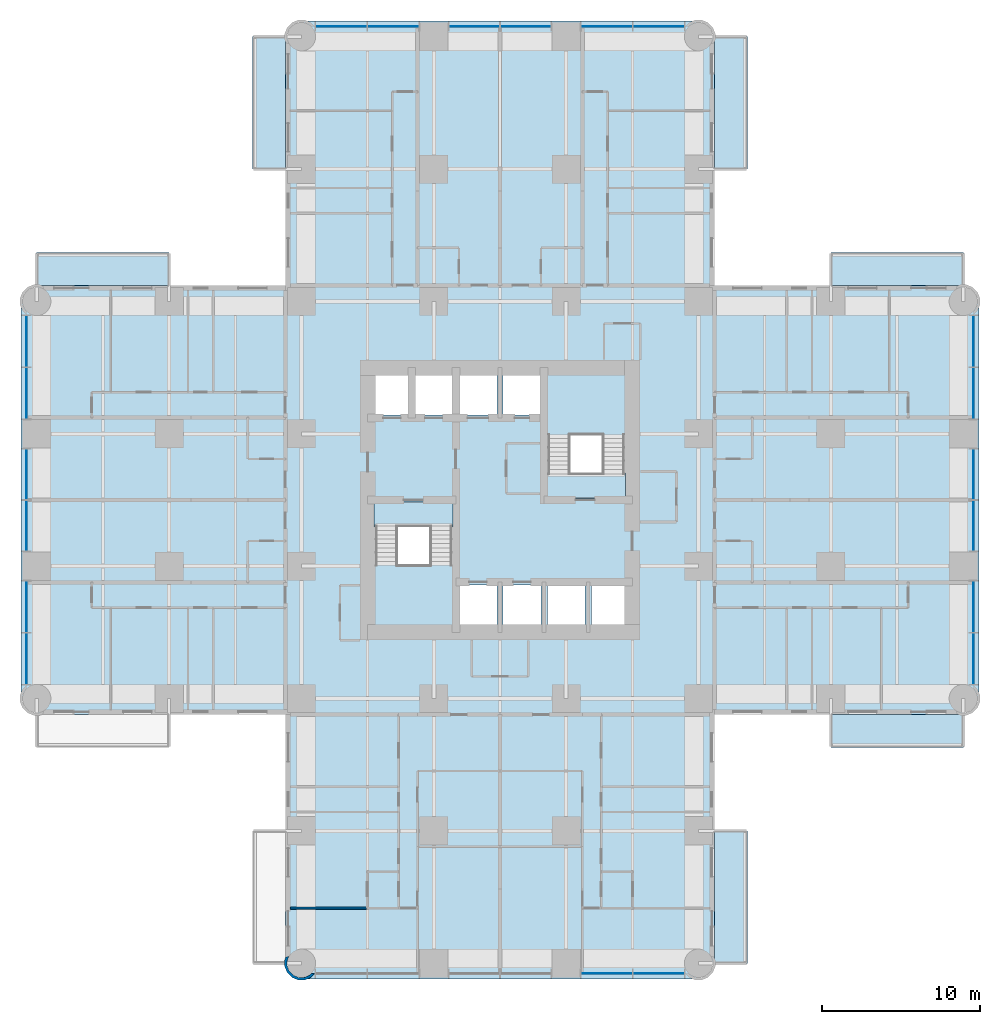
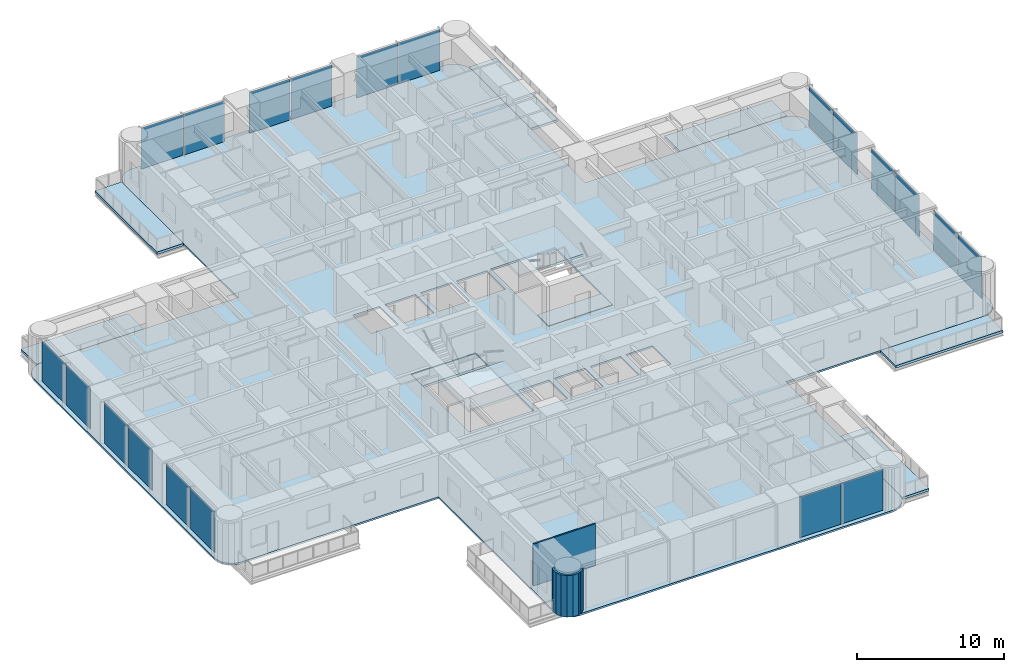
# One storey, part 6 of 17: 20 plates, 11 slabs, 2 walls, 6 elements without a shape of their own.
"""IFC4 building model written with IfcOpenShell, lengths in metres."""

from ifc_helpers import new_model, si_unit, direction, frame, frame_2d, origin, origin_2d, place, context, subcontext, project, spatial, polyline, rectangle, outline, extrude, material, layer, layer_set, type_object, element, aggregate, save


model = new_model("IFC4")

# Units and contexts
model_context = context("Model", 3, precision=1e-05, world=origin(), true_north=direction((0.0, 1.0)))
body_context = subcontext(model_context, "Body", "Model", "MODEL_VIEW")
ifc_project = project(units=[si_unit("LENGTHUNIT", "METRE"), si_unit("AREAUNIT", "SQUARE_METRE"), si_unit("VOLUMEUNIT", "CUBIC_METRE"), si_unit("PLANEANGLEUNIT", "RADIAN"), si_unit("MASSUNIT", "GRAM", prefix="KILO")], contexts=[model_context])

# Site, building, storey
site_placement = place(None, origin())
site = spatial("IfcSite", under=ifc_project, at=site_placement, CompositionType="ELEMENT")
building_placement = place(site_placement, origin())
building = spatial("IfcBuilding", under=site, at=building_placement, Name="Torre Alcanfor", CompositionType="ELEMENT")
storey_placement = place(building_placement, frame((0.0, 0.0, 84.89990234375)))
storey = spatial("IfcBuildingStorey", under=building, at=storey_placement, Name="L21", CompositionType="ELEMENT", Elevation=84.89990234375)

# Slabs
ifc_material_1 = material(Name="Concrete f'c 35 MPa", Category="concrete")
ifc_layer_1 = layer(ifc_material_1, 0.199951171875)
ifc_layer_set_1 = layer_set([ifc_layer_1], Name="Balcony slab 200")
slab_type_1 = type_object("IfcSlabType", Name="Balcony slab 200", PredefinedType="FLOOR", material=ifc_layer_set_1)
slab_1_placement = place(storey_placement, frame((0.0, 0.0, -0.199951171875)))
element("IfcSlab", 1, at=slab_1_placement, inside=storey, type_object=slab_type_1, Name="Balcony L21-N1", PredefinedType="FLOOR", context=body_context, shape_type="SweptSolid", body=[
    extrude(outline(polyline([(15.800048828125, 50.39990234375), (15.800048828125, 58.800048828125), (13.699951171875, 58.800048828125), (13.699951171875, 50.39990234375), (15.800048828125, 50.39990234375)])), origin(), (0.0, 0.0, 1.0), 0.199951171875),
])
slab_2_placement = place(storey_placement, frame((0.0, 0.0, -0.199951171875)))
element("IfcSlab", 2, at=slab_2_placement, inside=storey, type_object=slab_type_1, Name="Balcony L21-N2", PredefinedType="FLOOR", context=body_context, shape_type="SweptSolid", body=[
    extrude(outline(polyline([(45.10009765625, 50.39990234375), (45.10009765625, 58.800048828125), (43.0, 58.800048828125), (43.0, 50.39990234375), (45.10009765625, 50.39990234375)])), origin(), (0.0, 0.0, 1.0), 0.199951171875),
])
slab_3_placement = place(storey_placement, frame((0.0, 0.0, -0.199951171875)))
element("IfcSlab", 3, at=slab_3_placement, inside=storey, type_object=slab_type_1, Name="Balcony L21-E1", PredefinedType="FLOOR", context=body_context, shape_type="SweptSolid", body=[
    extrude(outline(polyline([(50.39990234375, 43.0), (58.800048828125, 43.0), (58.800048828125, 45.10009765625), (50.39990234375, 45.10009765625), (50.39990234375, 43.0)])), origin(), (0.0, 0.0, 1.0), 0.199951171875),
])
slab_4_placement = place(storey_placement, frame((0.0, 0.0, -0.199951171875)))
element("IfcSlab", 4, at=slab_4_placement, inside=storey, type_object=slab_type_1, Name="Balcony L21-E2", PredefinedType="FLOOR", context=body_context, shape_type="SweptSolid", body=[
    extrude(outline(polyline([(50.39990234375, 13.699951171875), (58.800048828125, 13.699951171875), (58.800048828125, 15.800048828125), (50.39990234375, 15.800048828125), (50.39990234375, 13.699951171875)])), origin(), (0.0, 0.0, 1.0), 0.199951171875),
])
slab_5_placement = place(storey_placement, frame((0.0, 0.0, -0.199951171875)))
element("IfcSlab", 5, at=slab_5_placement, inside=storey, type_object=slab_type_1, Name="Balcony L21-S1", PredefinedType="FLOOR", context=body_context, shape_type="SweptSolid", body=[
    extrude(outline(polyline([(43.0, 8.39990234375), (43.0, 0.0), (45.10009765625, 0.0), (45.10009765625, 8.39990234375), (43.0, 8.39990234375)])), origin(), (0.0, 0.0, 1.0), 0.199951171875),
])
slab_6_placement = place(storey_placement, frame((0.0, 0.0, -0.199951171875)))
element("IfcSlab", 6, at=slab_6_placement, inside=storey, type_object=slab_type_1, Name="Balcony L21-W2", PredefinedType="FLOOR", context=body_context, shape_type="SweptSolid", body=[
    extrude(outline(polyline([(8.39990234375, 45.10009765625), (0.0, 45.10009765625), (0.0, 43.0), (8.39990234375, 43.0), (8.39990234375, 45.10009765625)])), origin(), (0.0, 0.0, 1.0), 0.199951171875),
])

# Curtain wall, plates
ifc_material_2 = material(Name="Aluminium and glass", Category="aluminium")
curtain_wall_type = type_object("IfcCurtainWallType", Name="CW-A unitised apartment glazing with vertical FIN", PredefinedType="NOTDEFINED", material=ifc_material_2)
curtain_wall_1_placement = place(storey_placement, origin())
curtain_wall_1 = element("IfcCurtainWall", 7, at=curtain_wall_1_placement, inside=storey, type_object=curtain_wall_type, Name="Curtain wall CW-A L21 2", PredefinedType="NOTDEFINED")
ifc_material_3 = material(Name="Glass", Category="glass")
ifc_layer_2 = layer(ifc_material_3, 0.028076171875)
ifc_layer_set_2 = layer_set([ifc_layer_2], Name="CW-A clear double glazed unit")
plate_type = type_object("IfcPlateType", Name="CW-A clear double glazed unit", PredefinedType="CURTAIN_PANEL", material=ifc_layer_set_2)
plate_1_placement = place(storey_placement, frame((-0.64990234375, 39.484130859375, 0.0), z_axis=(0.0, 0.0, 1.0), x_axis=(0.0, -1.0, 0.0)))
plate_1 = element("IfcPlate", 8, at=plate_1_placement, type_object=plate_type, Name="CW-A panel 1.1.1", PredefinedType="CURTAIN_PANEL", context=body_context, shape_type="SweptSolid", body=[
    extrude(rectangle(XDim=3.232666015625, YDim=0.028076171875, at=origin_2d()), origin(), (0.0, 0.0, 1.0), 3.385009765625),
])
plate_2_placement = place(storey_placement, frame((-0.64990234375, 36.186279296875, 0.0), z_axis=(0.0, 0.0, 1.0), x_axis=(0.0, -1.0, 0.0)))
plate_2 = element("IfcPlate", 9, at=plate_2_placement, type_object=plate_type, Name="CW-A panel 1.2.1", PredefinedType="CURTAIN_PANEL", context=body_context, shape_type="SweptSolid", body=[
    extrude(rectangle(XDim=3.232666015625, YDim=0.028076171875, at=origin_2d()), origin(), (0.0, 0.0, 1.0), 3.385009765625),
])
plate_3_placement = place(storey_placement, frame((-0.64990234375, 31.03125, 0.0), z_axis=(0.0, 0.0, 1.0), x_axis=(0.0, -1.0, 0.0)))
plate_3 = element("IfcPlate", 10, at=plate_3_placement, type_object=plate_type, Name="CW-A panel 2.1.1", PredefinedType="CURTAIN_PANEL", context=body_context, shape_type="SweptSolid", body=[
    extrude(rectangle(XDim=3.197509765625, YDim=0.028076171875, at=origin_2d()), origin(), (0.0, 0.0, 1.0), 3.385009765625),
])
plate_4_placement = place(storey_placement, frame((-0.64990234375, 27.768798828125, 0.0), z_axis=(0.0, 0.0, 1.0), x_axis=(0.0, -1.0, 0.0)))
plate_4 = element("IfcPlate", 11, at=plate_4_placement, type_object=plate_type, Name="CW-A panel 2.2.1", PredefinedType="CURTAIN_PANEL", context=body_context, shape_type="SweptSolid", body=[
    extrude(rectangle(XDim=3.197509765625, YDim=0.028076171875, at=origin_2d()), origin(), (0.0, 0.0, 1.0), 3.385009765625),
])
plate_5_placement = place(storey_placement, frame((-0.64990234375, 22.613525390625, 0.0), z_axis=(0.0, 0.0, 1.0), x_axis=(0.0, -1.0, 0.0)))
plate_5 = element("IfcPlate", 12, at=plate_5_placement, type_object=plate_type, Name="CW-A panel 3.1.1", PredefinedType="CURTAIN_PANEL", context=body_context, shape_type="SweptSolid", body=[
    extrude(rectangle(XDim=3.232666015625, YDim=0.028076171875, at=origin_2d()), origin(), (0.0, 0.0, 1.0), 3.385009765625),
])
plate_6_placement = place(storey_placement, frame((-0.64990234375, 19.31591796875, 0.0), z_axis=(0.0, 0.0, 1.0), x_axis=(0.0, -1.0, 0.0)))
plate_6 = element("IfcPlate", 13, at=plate_6_placement, type_object=plate_type, Name="CW-A panel 3.2.1", PredefinedType="CURTAIN_PANEL", context=body_context, shape_type="SweptSolid", body=[
    extrude(rectangle(XDim=3.232666015625, YDim=0.028076171875, at=origin_2d()), origin(), (0.0, 0.0, 1.0), 3.385009765625),
])
aggregate(curtain_wall_1, [plate_1, plate_2, plate_3, plate_4, plate_5, plate_6])

curtain_wall_2_placement = place(storey_placement, origin())
curtain_wall_2 = element("IfcCurtainWall", 14, at=curtain_wall_2_placement, inside=storey, type_object=curtain_wall_type, Name="Curtain wall CW-A L21 5", PredefinedType="NOTDEFINED")
plate_7_placement = place(storey_placement, frame((36.186279296875, -0.64990234375, 0.0), z_axis=(0.0, 0.0, 1.0), x_axis=(1.0, 0.0, 0.0)))
plate_7 = element("IfcPlate", 15, at=plate_7_placement, type_object=plate_type, Name="CW-A panel 3.1.1", PredefinedType="CURTAIN_PANEL", context=body_context, shape_type="SweptSolid", body=[
    extrude(rectangle(XDim=3.232666015625, YDim=0.028076171875, at=origin_2d()), origin(), (0.0, 0.0, 1.0), 3.385009765625),
])
plate_8_placement = place(storey_placement, frame((39.484130859375, -0.64990234375, 0.0), z_axis=(0.0, 0.0, 1.0), x_axis=(1.0, 0.0, 0.0)))
plate_8 = element("IfcPlate", 16, at=plate_8_placement, type_object=plate_type, Name="CW-A panel 3.2.1", PredefinedType="CURTAIN_PANEL", context=body_context, shape_type="SweptSolid", body=[
    extrude(rectangle(XDim=3.232666015625, YDim=0.028076171875, at=origin_2d()), origin(), (0.0, 0.0, 1.0), 3.385009765625),
])
aggregate(curtain_wall_2, [plate_7, plate_8])

curtain_wall_3_placement = place(storey_placement, origin())
curtain_wall_3 = element("IfcCurtainWall", 17, at=curtain_wall_3_placement, inside=storey, type_object=curtain_wall_type, Name="Curtain wall CW-A L21 8", PredefinedType="NOTDEFINED")
plate_9_placement = place(storey_placement, frame((59.449951171875, 19.31591796875, 0.0), z_axis=(0.0, 0.0, 1.0), x_axis=(0.0, 1.0, 0.0)))
plate_9 = element("IfcPlate", 18, at=plate_9_placement, type_object=plate_type, Name="CW-A panel 1.1.1", PredefinedType="CURTAIN_PANEL", context=body_context, shape_type="SweptSolid", body=[
    extrude(rectangle(XDim=3.232666015625, YDim=0.028076171875, at=origin_2d()), origin(), (0.0, 0.0, 1.0), 3.385009765625),
])
plate_10_placement = place(storey_placement, frame((59.449951171875, 22.613525390625, 0.0), z_axis=(0.0, 0.0, 1.0), x_axis=(0.0, 1.0, 0.0)))
plate_10 = element("IfcPlate", 19, at=plate_10_placement, type_object=plate_type, Name="CW-A panel 1.2.1", PredefinedType="CURTAIN_PANEL", context=body_context, shape_type="SweptSolid", body=[
    extrude(rectangle(XDim=3.232666015625, YDim=0.028076171875, at=origin_2d()), origin(), (0.0, 0.0, 1.0), 3.385009765625),
])
plate_11_placement = place(storey_placement, frame((59.449951171875, 27.768798828125, 0.0), z_axis=(0.0, 0.0, 1.0), x_axis=(0.0, 1.0, 0.0)))
plate_11 = element("IfcPlate", 20, at=plate_11_placement, type_object=plate_type, Name="CW-A panel 2.1.1", PredefinedType="CURTAIN_PANEL", context=body_context, shape_type="SweptSolid", body=[
    extrude(rectangle(XDim=3.197509765625, YDim=0.028076171875, at=origin_2d()), origin(), (0.0, 0.0, 1.0), 3.385009765625),
])
plate_12_placement = place(storey_placement, frame((59.449951171875, 31.03125, 0.0), z_axis=(0.0, 0.0, 1.0), x_axis=(0.0, 1.0, 0.0)))
plate_12 = element("IfcPlate", 21, at=plate_12_placement, type_object=plate_type, Name="CW-A panel 2.2.1", PredefinedType="CURTAIN_PANEL", context=body_context, shape_type="SweptSolid", body=[
    extrude(rectangle(XDim=3.197509765625, YDim=0.028076171875, at=origin_2d()), origin(), (0.0, 0.0, 1.0), 3.385009765625),
])
plate_13_placement = place(storey_placement, frame((59.449951171875, 36.186279296875, 0.0), z_axis=(0.0, 0.0, 1.0), x_axis=(0.0, 1.0, 0.0)))
plate_13 = element("IfcPlate", 22, at=plate_13_placement, type_object=plate_type, Name="CW-A panel 3.1.1", PredefinedType="CURTAIN_PANEL", context=body_context, shape_type="SweptSolid", body=[
    extrude(rectangle(XDim=3.232666015625, YDim=0.028076171875, at=origin_2d()), origin(), (0.0, 0.0, 1.0), 3.385009765625),
])
plate_14_placement = place(storey_placement, frame((59.449951171875, 39.484130859375, 0.0), z_axis=(0.0, 0.0, 1.0), x_axis=(0.0, 1.0, 0.0)))
plate_14 = element("IfcPlate", 23, at=plate_14_placement, type_object=plate_type, Name="CW-A panel 3.2.1", PredefinedType="CURTAIN_PANEL", context=body_context, shape_type="SweptSolid", body=[
    extrude(rectangle(XDim=3.232666015625, YDim=0.028076171875, at=origin_2d()), origin(), (0.0, 0.0, 1.0), 3.385009765625),
])
aggregate(curtain_wall_3, [plate_9, plate_10, plate_11, plate_12, plate_13, plate_14])

curtain_wall_4_placement = place(storey_placement, origin())
curtain_wall_4 = element("IfcCurtainWall", 24, at=curtain_wall_4_placement, inside=storey, type_object=curtain_wall_type, Name="Curtain wall CW-A L21 11", PredefinedType="NOTDEFINED")
plate_15_placement = place(storey_placement, frame((39.484130859375, 59.449951171875, 0.0), z_axis=(0.0, 0.0, 1.0), x_axis=(-1.0, 0.0, 0.0)))
plate_15 = element("IfcPlate", 25, at=plate_15_placement, type_object=plate_type, Name="CW-A panel 1.1.1", PredefinedType="CURTAIN_PANEL", context=body_context, shape_type="SweptSolid", body=[
    extrude(rectangle(XDim=3.232666015625, YDim=0.028076171875, at=origin_2d()), origin(), (0.0, 0.0, 1.0), 3.385009765625),
])
plate_16_placement = place(storey_placement, frame((36.186279296875, 59.449951171875, 0.0), z_axis=(0.0, 0.0, 1.0), x_axis=(-1.0, 0.0, 0.0)))
plate_16 = element("IfcPlate", 26, at=plate_16_placement, type_object=plate_type, Name="CW-A panel 1.2.1", PredefinedType="CURTAIN_PANEL", context=body_context, shape_type="SweptSolid", body=[
    extrude(rectangle(XDim=3.232666015625, YDim=0.028076171875, at=origin_2d()), origin(), (0.0, 0.0, 1.0), 3.385009765625),
])
plate_17_placement = place(storey_placement, frame((31.03125, 59.449951171875, 0.0), z_axis=(0.0, 0.0, 1.0), x_axis=(-1.0, 0.0, 0.0)))
plate_17 = element("IfcPlate", 27, at=plate_17_placement, type_object=plate_type, Name="CW-A panel 2.1.1", PredefinedType="CURTAIN_PANEL", context=body_context, shape_type="SweptSolid", body=[
    extrude(rectangle(XDim=3.197509765625, YDim=0.028076171875, at=origin_2d()), origin(), (0.0, 0.0, 1.0), 3.385009765625),
])
plate_18_placement = place(storey_placement, frame((27.768798828125, 59.449951171875, 0.0), z_axis=(0.0, 0.0, 1.0), x_axis=(-1.0, 0.0, 0.0)))
plate_18 = element("IfcPlate", 28, at=plate_18_placement, type_object=plate_type, Name="CW-A panel 2.2.1", PredefinedType="CURTAIN_PANEL", context=body_context, shape_type="SweptSolid", body=[
    extrude(rectangle(XDim=3.197509765625, YDim=0.028076171875, at=origin_2d()), origin(), (0.0, 0.0, 1.0), 3.385009765625),
])
plate_19_placement = place(storey_placement, frame((22.613525390625, 59.449951171875, 0.0), z_axis=(0.0, 0.0, 1.0), x_axis=(-1.0, 0.0, 0.0)))
plate_19 = element("IfcPlate", 29, at=plate_19_placement, type_object=plate_type, Name="CW-A panel 3.1.1", PredefinedType="CURTAIN_PANEL", context=body_context, shape_type="SweptSolid", body=[
    extrude(rectangle(XDim=3.232666015625, YDim=0.028076171875, at=origin_2d()), origin(), (0.0, 0.0, 1.0), 3.385009765625),
])
plate_20_placement = place(storey_placement, frame((19.31591796875, 59.449951171875, 0.0), z_axis=(0.0, 0.0, 1.0), x_axis=(-1.0, 0.0, 0.0)))
plate_20 = element("IfcPlate", 30, at=plate_20_placement, type_object=plate_type, Name="CW-A panel 3.2.1", PredefinedType="CURTAIN_PANEL", context=body_context, shape_type="SweptSolid", body=[
    extrude(rectangle(XDim=3.232666015625, YDim=0.028076171875, at=origin_2d()), origin(), (0.0, 0.0, 1.0), 3.385009765625),
])
aggregate(curtain_wall_4, [plate_15, plate_16, plate_17, plate_18, plate_19, plate_20])

# Slab
ifc_material_4 = material(Name="Concrete f'c 35 MPa", Category="concrete")
ifc_layer_3 = layer(ifc_material_4, 0.14990234375)
ifc_layer_set_3 = layer_set([ifc_layer_3], Name="Composite floor 150 on metal deck")
slab_type_2 = type_object("IfcSlabType", Name="Composite floor 150 on metal deck", PredefinedType="FLOOR", material=ifc_layer_set_3)
slab_7_placement = place(storey_placement, frame((0.0, 0.0, -0.14990234375)))
element("IfcSlab", 31, at=slab_7_placement, inside=storey, type_object=slab_type_2, Name="Floor slab L21", PredefinedType="FLOOR", context=body_context, shape_type="SweptSolid", body=[
    extrude(outline(polyline([(15.800048828125, 43.0), (0.39990234375, 43.0), (0.03759765625, 42.952392578125), (-0.300048828125, 42.8125), (-0.58984375, 42.58984375), (-0.8125, 42.300048828125), (-0.952392578125, 41.96240234375), (-1.0, 41.60009765625), (-1.0, 17.199951171875), (-0.952392578125, 16.837646484375), (-0.8125, 16.5), (-0.58984375, 16.210205078125), (-0.300048828125, 15.987548828125), (0.03759765625, 15.84765625), (0.39990234375, 15.800048828125), (15.800048828125, 15.800048828125), (15.800048828125, 0.39990234375), (15.84765625, 0.03759765625), (15.987548828125, -0.300048828125), (16.210205078125, -0.58984375), (16.5, -0.8125), (16.837646484375, -0.952392578125), (17.199951171875, -1.0), (41.60009765625, -1.0), (41.96240234375, -0.952392578125), (42.300048828125, -0.8125), (42.58984375, -0.58984375), (42.8125, -0.300048828125), (42.952392578125, 0.03759765625), (43.0, 0.39990234375), (43.0, 15.800048828125), (58.39990234375, 15.800048828125), (58.76220703125, 15.84765625), (59.10009765625, 15.987548828125), (59.389892578125, 16.210205078125), (59.6123046875, 16.5), (59.752197265625, 16.837646484375), (59.800048828125, 17.199951171875), (59.800048828125, 41.60009765625), (59.752197265625, 41.96240234375), (59.6123046875, 42.300048828125), (59.389892578125, 42.58984375), (59.10009765625, 42.8125), (58.76220703125, 42.952392578125), (58.39990234375, 43.0), (43.0, 43.0), (43.0, 58.39990234375), (42.952392578125, 58.76220703125), (42.8125, 59.10009765625), (42.58984375, 59.389892578125), (42.300048828125, 59.6123046875), (41.96240234375, 59.752197265625), (41.60009765625, 59.800048828125), (17.199951171875, 59.800048828125), (16.837646484375, 59.752197265625), (16.5, 59.6123046875), (16.210205078125, 59.389892578125), (15.987548828125, 59.10009765625), (15.84765625, 58.76220703125), (15.800048828125, 58.39990234375), (15.800048828125, 43.0)]), holes=[polyline([(21.419921875, 21.419921875), (26.47998046875, 21.419921875), (26.47998046875, 29.280029296875), (21.419921875, 29.280029296875), (21.419921875, 21.419921875)]), polyline([(32.320068359375, 29.52001953125), (37.3798828125, 29.52001953125), (37.3798828125, 37.3798828125), (32.320068359375, 37.3798828125), (32.320068359375, 29.52001953125)]), polyline([(26.800048828125, 21.5), (29.199951171875, 21.5), (29.199951171875, 24.0), (26.800048828125, 24.0), (26.800048828125, 21.5)]), polyline([(29.60009765625, 21.5), (32.0, 21.5), (32.0, 24.0), (29.60009765625, 24.0), (29.60009765625, 21.5)]), polyline([(32.39990234375, 21.5), (34.800048828125, 21.5), (34.800048828125, 24.0), (32.39990234375, 24.0), (32.39990234375, 21.5)]), polyline([(35.199951171875, 21.5), (37.300048828125, 21.5), (37.300048828125, 24.0), (35.199951171875, 24.0), (35.199951171875, 21.5)]), polyline([(21.5, 34.800048828125), (23.60009765625, 34.800048828125), (23.60009765625, 37.300048828125), (21.5, 37.300048828125), (21.5, 34.800048828125)]), polyline([(24.0, 34.800048828125), (26.39990234375, 34.800048828125), (26.39990234375, 37.300048828125), (24.0, 37.300048828125), (24.0, 34.800048828125)]), polyline([(26.800048828125, 34.800048828125), (29.199951171875, 34.800048828125), (29.199951171875, 37.300048828125), (26.800048828125, 37.300048828125), (26.800048828125, 34.800048828125)]), polyline([(29.60009765625, 34.800048828125), (32.0, 34.800048828125), (32.0, 37.300048828125), (29.60009765625, 37.300048828125), (29.60009765625, 34.800048828125)])]), origin(), (0.0, 0.0, 1.0), 0.14990234375),
])

# Stair, slabs
ifc_material_5 = material(Name="Concrete f'c 35 MPa", Category="concrete")
stair_type_1 = type_object("IfcStairType", Name="Exit stair S1 1400 wide", PredefinedType="HALF_TURN_STAIR", material=ifc_material_5)
stair_1_placement = place(storey_placement, origin())
stair_1 = element("IfcStair", 32, at=stair_1_placement, inside=storey, type_object=stair_type_1, Name="Stair S1 L21 to L22", PredefinedType="HALF_TURN_STAIR")
ifc_material_6 = material(Name="Concrete f'c 35 MPa", Category="concrete")
ifc_layer_4 = layer(ifc_material_6, 0.199951171875)
ifc_layer_set_4 = layer_set([ifc_layer_4], Name="Stair landing 200")
slab_type_3 = type_object("IfcSlabType", Name="Stair landing 200", PredefinedType="LANDING", material=ifc_layer_set_4)
slab_8_placement = place(storey_placement, frame((0.0, 0.0, -0.199951171875)))
slab_8 = element("IfcSlab", 33, at=slab_8_placement, type_object=slab_type_3, Name="S1 landing 1", PredefinedType="LANDING", context=body_context, shape_type="SweptSolid", body=[
    extrude(outline(polyline([(21.419921875, 27.699951171875), (26.429931640625, 27.699951171875), (26.429931640625, 29.22998046875), (21.419921875, 29.22998046875), (21.419921875, 27.699951171875)])), origin(), (0.0, 0.0, 1.0), 0.199951171875),
])
slab_9_placement = place(storey_placement, frame((0.0, 0.0, 1.60009765625)))
slab_9 = element("IfcSlab", 34, at=slab_9_placement, type_object=slab_type_3, Name="S1 landing 2", PredefinedType="LANDING", context=body_context, shape_type="SweptSolid", body=[
    extrude(outline(polyline([(21.419921875, 21.419921875), (26.429931640625, 21.419921875), (26.429931640625, 25.280029296875), (21.419921875, 25.280029296875), (21.419921875, 21.419921875)])), origin(), (0.0, 0.0, 1.0), 0.199951171875),
])
aggregate(stair_1, [slab_8, slab_9])

ifc_material_7 = material(Name="Concrete f'c 35 MPa", Category="concrete")
stair_type_2 = type_object("IfcStairType", Name="Exit stair S2 1400 wide", PredefinedType="HALF_TURN_STAIR", material=ifc_material_7)
stair_2_placement = place(storey_placement, origin())
stair_2 = element("IfcStair", 35, at=stair_2_placement, inside=storey, type_object=stair_type_2, Name="Stair S2 L21 to L22", PredefinedType="HALF_TURN_STAIR")
slab_10_placement = place(storey_placement, frame((0.0, 0.0, -0.199951171875)))
slab_10 = element("IfcSlab", 36, at=slab_10_placement, type_object=slab_type_3, Name="S2 landing 1", PredefinedType="LANDING", context=body_context, shape_type="SweptSolid", body=[
    extrude(outline(polyline([(32.3701171875, 29.570068359375), (37.3798828125, 29.570068359375), (37.3798828125, 31.10009765625), (32.3701171875, 31.10009765625), (32.3701171875, 29.570068359375)])), origin(), (0.0, 0.0, 1.0), 0.199951171875),
])
slab_11_placement = place(storey_placement, frame((0.0, 0.0, 1.60009765625)))
slab_11 = element("IfcSlab", 37, at=slab_11_placement, type_object=slab_type_3, Name="S2 landing 2", PredefinedType="LANDING", context=body_context, shape_type="SweptSolid", body=[
    extrude(outline(polyline([(32.3701171875, 33.52001953125), (37.3798828125, 33.52001953125), (37.3798828125, 37.3798828125), (32.3701171875, 37.3798828125), (32.3701171875, 33.52001953125)])), origin(), (0.0, 0.0, 1.0), 0.199951171875),
])
aggregate(stair_2, [slab_10, slab_11])

# Walls
ifc_material_8 = material(Name="Gypsum board on steel studs", Category="steel")
ifc_layer_5 = layer(ifc_material_8, 0.1201171875)
ifc_layer_set_5 = layer_set([ifc_layer_5], Name="Apartment partition 120")
wall_type_1 = type_object("IfcWallType", Name="Apartment partition 120", PredefinedType="PARTITIONING", material=ifc_layer_set_5)
wall_1_placement = place(storey_placement, frame((20.970947265625, 3.5, 0.0), z_axis=(0.0, 0.0, 1.0), x_axis=(-1.0, 0.0, 0.0)))
element("IfcWall", 38, at=wall_1_placement, inside=storey, type_object=wall_type_1, Name="Partition L21-S2-MASTER / L21-S2-WGARD", PredefinedType="PARTITIONING", context=body_context, shape_type="SweptSolid", body=[
    extrude(rectangle(XDim=4.870849609375, YDim=0.1201171875, at=frame_2d((2.435546875, 0.0))), origin(), (0.0, 0.0, 1.0), 3.4501953125),
])
ifc_material_9 = material(Name="Limestone cladding", Category="masonry")
ifc_layer_6 = layer(ifc_material_9, 0.0400390625, Name="Facing")
ifc_material_10 = material(Name="Ventilated air cavity")
ifc_layer_7 = layer(ifc_material_10, 0.02001953125, ventilated=True, Name="Ventilated joint")
ifc_material_11 = material(Name="Mineral wool insulation", Category="insulation")
ifc_layer_8 = layer(ifc_material_11, 0.10009765625, Name="Insulation")
ifc_material_12 = material(Name="Concrete f'c 35 MPa", Category="concrete")
ifc_layer_9 = layer(ifc_material_12, 0.139892578125, Name="Backing")
ifc_layer_set_6 = layer_set([ifc_layer_6, ifc_layer_7, ifc_layer_8, ifc_layer_9], Name="Rounded corner pier stone-clad 300")
wall_type_2 = type_object("IfcWallType", Name="Rounded corner pier stone-clad 300", PredefinedType="SOLIDWALL", material=ifc_layer_set_6)
wall_2_placement = place(storey_placement, frame((15.890092843, 0.363962863, 0.0), z_axis=(0.0, 0.0, 1.0), x_axis=(-0.377204953059, -0.926129809145, 0.0)))
element("IfcWall", 39, at=wall_2_placement, inside=storey, type_object=wall_type_2, Name="Corner pier L21 15", PredefinedType="SOLIDWALL", context=body_context, shape_type="SweptSolid", body=[
    extrude(outline(polyline([(0.36025406326845444, 1.8033251535395152), (0.5088520451897254, 1.7407402151136773), (0.7605729288027181, 1.4858036812916837), (0.8957625945963965, 1.1538802047718164), (0.8938847377533284, 0.7953914035812757), (0.7547773157275899, 0.46510295554213366), (0.4997067670481534, 0.21306387496571194), (0.16778329052828606, 0.07787420917203358), (-0.09994023900030424, 0.0795504548732244), (0.0006804239564057041, -0.09694899646014049), (0.029999294732247404, -0.08026261581225796), (0.19856690358048068, -0.0812004843578153), (0.5888257049928043, 0.07774867310804906), (0.8888185520201115, 0.37418200048294215), (1.0525847078153452, 0.7630186897929918), (1.0551554850896743, 1.184529802966568), (0.896114236570817, 1.5750147102893275), (0.7776681844062314, 1.6949582431572732), (0.7691216165340404, 1.727592391840862), (0.7502462480266835, 1.7228043636692119), (0.599680909195924, 1.8750075573166347), (0.2945300212676607, 2.0035278056043833), (0.2809636666415082, 1.9980023424248052), (0.36025406326845444, 1.8033251535395152)])), origin(), (0.0, 0.0, 1.0), 3.4501953125),
])

save(model, "model.ifc")
